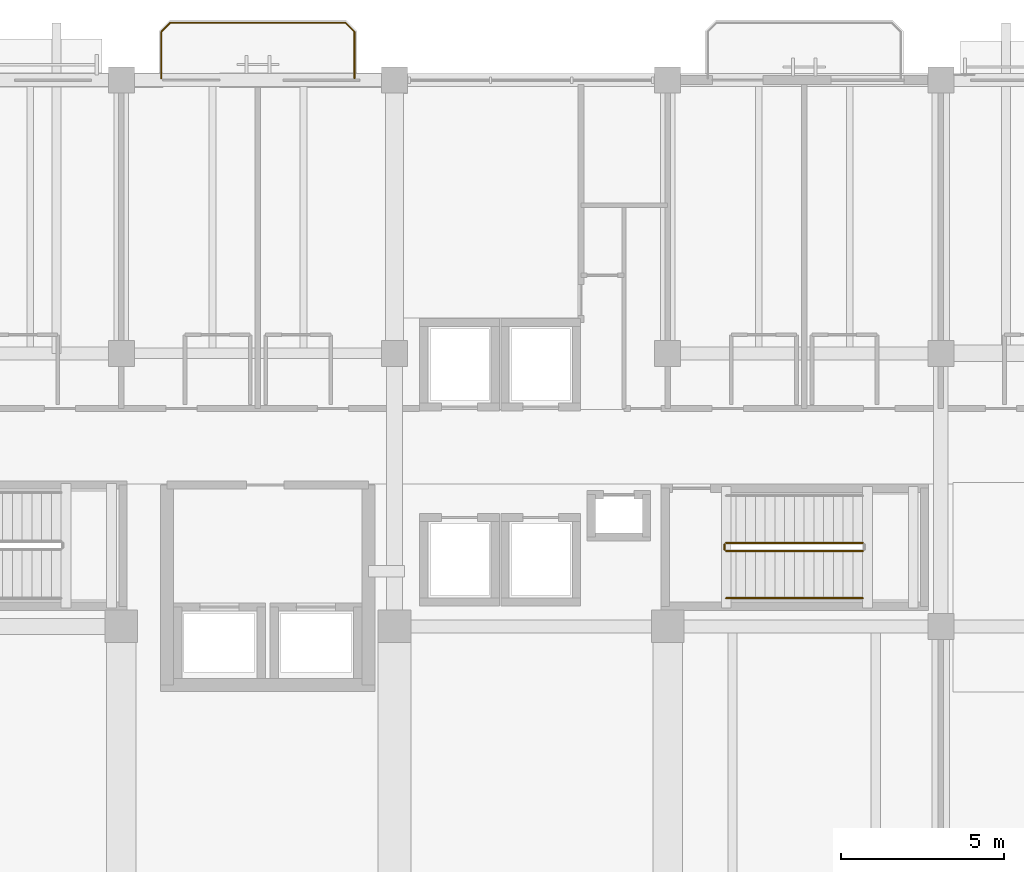
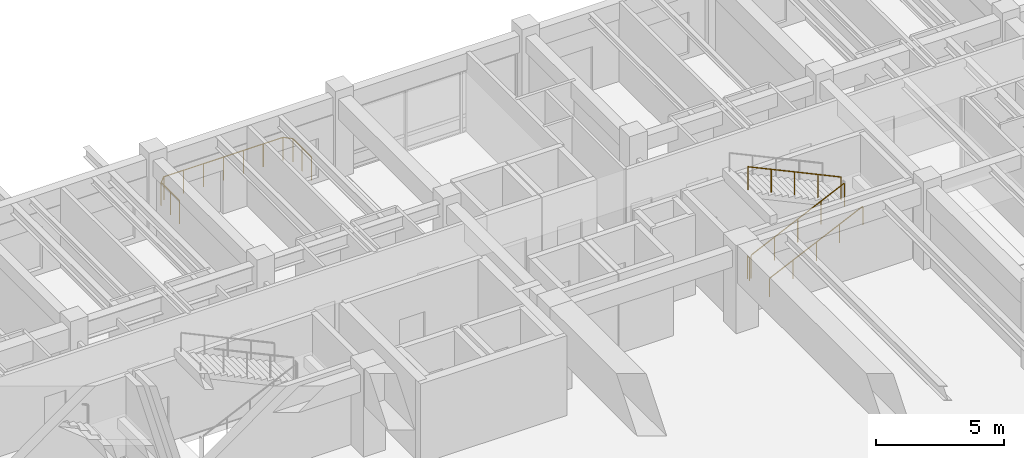
# One storey, part 116 of 132: 5 railings.
"""IFC4 building model written with IfcOpenShell, lengths in metres."""

import ifcopenshell
import ifcopenshell.guid

model = None  # the IFC model being written
_history = None  # IfcOwnerHistory: only IFC2X3 demands one
_inside = {}  # id of a spatial element -> (the spatial element, [elements in it])
_under = {}  # id of a project, library or spatial element -> (it, [spatial elements below it])
_declared = {}  # id of a project -> (the project, [libraries it declares])
_typed = {}  # id of a type object -> (the type object, [elements of that type])
_made_of = {}  # id of a material, layer set ... -> (it, [elements and type objects made of it])


def new_model(schema):
    """Start an empty IFC model of exactly this schema.

    Asked for "IFC4X3", IfcOpenShell would pick the latest addendum, in which some entities
    have other attributes; the version numbers below select the first issue.
    IFC2X3 requires an IfcOwnerHistory on every rooted entity: one is made here for all.
    """
    global model, _history
    if schema == "IFC4X3":
        model = ifcopenshell.file(schema_version=(4, 3, 0, 0))
    else:
        model = ifcopenshell.file(schema=schema)
    _inside.clear()
    _under.clear()
    _declared.clear()
    _typed.clear()
    _made_of.clear()
    _history = None
    if model.schema == "IFC2X3":
        org = make("IfcOrganization", Name="unknown")
        user = make(
            "IfcPersonAndOrganization",
            ThePerson=make("IfcPerson", FamilyName="unknown"),
            TheOrganization=org,
        )
        app = make(
            "IfcApplication",
            ApplicationDeveloper=org,
            Version="unknown",
            ApplicationFullName="unknown",
            ApplicationIdentifier="unknown",
        )
        _history = make(
            "IfcOwnerHistory",
            OwningUser=user,
            OwningApplication=app,
            ChangeAction="ADDED",
            CreationDate=0,
        )
    return model


def make(cls, **values):
    """One entity of the class cls with the attributes given. An attribute that is None is left unset."""
    return model.create_entity(
        cls, **{name: value for name, value in values.items() if value is not None}
    )


def rooted(cls, **values):
    """An entity with a GlobalId (a new one), such as an element, a storey or a relation."""
    return make(cls, GlobalId=ifcopenshell.guid.new(), OwnerHistory=_history, **values)


def si_unit(unit_type, name, prefix=None):
    """IfcSIUnit, for example si_unit("LENGTHUNIT", "METRE", prefix="MILLI")."""
    return make("IfcSIUnit", UnitType=unit_type, Prefix=prefix, Name=name)


def assignment(units):
    """IfcUnitAssignment: the units of a project."""
    return None if units is None else make("IfcUnitAssignment", Units=units)


def point(xyz):
    """IfcCartesianPoint."""
    return None if xyz is None else make("IfcCartesianPoint", Coordinates=xyz)


def direction(xyz):
    """IfcDirection."""
    return None if xyz is None else make("IfcDirection", DirectionRatios=xyz)


def frame(location, z_axis=None, x_axis=None):
    """IfcAxis2Placement3D, a coordinate frame: its origin and axes. An axis left out is left unset."""
    return make(
        "IfcAxis2Placement3D",
        Location=point(location),
        Axis=direction(z_axis),
        RefDirection=direction(x_axis),
    )


def frame_2d(location, x_axis=None):
    """IfcAxis2Placement2D, a coordinate frame in the plane: its origin and x axis."""
    return make(
        "IfcAxis2Placement2D", Location=point(location), RefDirection=direction(x_axis)
    )


def origin():
    """The frame at (0, 0, 0) with its axes left unset."""
    return frame((0.0, 0.0, 0.0))


def origin_2d():
    """The frame at (0, 0) in the plane with its x axis left unset."""
    return frame_2d((0.0, 0.0))


def place(relative_to, where):
    """IfcLocalPlacement: puts the frame where relative to a parent placement (None: the world)."""
    return make(
        "IfcLocalPlacement", PlacementRelTo=relative_to, RelativePlacement=where
    )


def context(
    kind, dimensions, precision=None, world=None, true_north=None, identifier=None
):
    """IfcGeometricRepresentationContext, for example the 3D "Model" context."""
    return make(
        "IfcGeometricRepresentationContext",
        ContextIdentifier=identifier,
        ContextType=kind,
        CoordinateSpaceDimension=dimensions,
        Precision=precision,
        WorldCoordinateSystem=world,
        TrueNorth=true_north,
    )


def subcontext(parent, identifier, kind, view, scale=None):
    """IfcGeometricRepresentationSubContext, for example "Body" below "Model"."""
    return make(
        "IfcGeometricRepresentationSubContext",
        ContextIdentifier=identifier,
        ContextType=kind,
        ParentContext=parent,
        TargetScale=scale,
        TargetView=view,
    )


def project(units=None, contexts=None):
    """IfcProject with its units and contexts."""
    return rooted(
        "IfcProject",
        Name="project",
        RepresentationContexts=contexts,
        UnitsInContext=assignment(units),
    )


def spatial(cls, under=None, at=None, **own):
    """A site, building, storey or space (cls), placed at a placement, below another one or the project."""
    s = rooted(cls, ObjectPlacement=at, **own)
    if under is not None:
        _under.setdefault(under.id(), (under, []))[1].append(s)
    return s


def profile(cls, at=None, kind="AREA", **sizes):
    """A parametric profile (cls). Its sizes go by their IFC names, for example OverallWidth=200.0."""
    return make(cls, ProfileType=kind, Position=at, **sizes)


def circle(**sizes):
    """IfcCircleProfileDef."""
    return profile("IfcCircleProfileDef", **sizes)


def extrude(swept, where, along, depth):
    """IfcExtrudedAreaSolid: the profile swept, set in the frame where, extruded along a direction by depth."""
    return make(
        "IfcExtrudedAreaSolid",
        SweptArea=swept,
        Position=where,
        ExtrudedDirection=direction(along),
        Depth=depth,
    )


def shape(context_of_items, identifier, shape_type, items):
    """IfcShapeRepresentation: the items that make up one representation, for example the "Body"."""
    return make(
        "IfcShapeRepresentation",
        ContextOfItems=context_of_items,
        RepresentationIdentifier=identifier,
        RepresentationType=shape_type,
        Items=items,
    )


def material(Name=None, Category=None):
    """IfcMaterial."""
    return make("IfcMaterial", Name=Name, Category=Category)


def made_of(thing, what):
    """Note that an element or type object is made of a material, layer set ...; save() writes the relation."""
    if what is not None:
        _made_of.setdefault(what.id(), (what, []))[1].append(thing)
    return thing


def type_object(cls, material=None, **own):
    """A type object (cls), such as IfcWallType, which elements share."""
    return made_of(rooted(cls, **own), material)


def element(
    cls,
    number,
    at=None,
    inside=None,
    cuts=None,
    type_object=None,
    material=None,
    context=None,
    identifier="Body",
    shape_type=None,
    held_by="IfcProductDefinitionShape",
    body=None,
    shapes=None,
    **own,
):
    """One element of the class cls, such as IfcWall. Its Tag is "e" and its number.

    at: its placement. inside: the storey or other place that contains it. cuts: it is an
    opening in that element (IfcRelVoidsElement). A single representation is given by context,
    identifier, shape_type and body (its items); several are given by shapes. held_by: the class
    of the entity that holds the representations. save() writes the other relations.
    """
    e = rooted(cls, Tag="e%d" % number, ObjectPlacement=at, **own)
    if body is not None:
        shapes = [shape(context, identifier, shape_type, body)]
    if shapes is not None:
        e.Representation = make(held_by, Representations=shapes)
    if inside is not None:
        _inside.setdefault(inside.id(), (inside, []))[1].append(e)
    if cuts is not None:
        rooted(
            "IfcRelVoidsElement", RelatingBuildingElement=cuts, RelatedOpeningElement=e
        )
    if type_object is not None:
        _typed.setdefault(type_object.id(), (type_object, []))[1].append(e)
    return made_of(e, material)


def aggregate(whole, parts):
    """IfcRelAggregates: a whole, such as a stair, and the parts it consists of."""
    return rooted("IfcRelAggregates", RelatingObject=whole, RelatedObjects=parts)


def save(model, path):
    """Write the relations noted so far, then the file.

    IfcRelAggregates (storeys below a building ...), IfcRelContainedInSpatialStructure (elements
    in a storey), IfcRelDefinesByType, IfcRelAssociatesMaterial and IfcRelDeclares: one each for
    every whole, place, type object, material and project.
    """
    for whole, parts in _under.values():
        aggregate(whole, parts)
    for where, things in _inside.values():
        rooted(
            "IfcRelContainedInSpatialStructure",
            RelatedElements=things,
            RelatingStructure=where,
        )
    for kind, things in _typed.values():
        rooted("IfcRelDefinesByType", RelatedObjects=things, RelatingType=kind)
    for what, things in _made_of.values():
        rooted("IfcRelAssociatesMaterial", RelatedObjects=things, RelatingMaterial=what)
    for by, libraries in _declared.values():
        rooted("IfcRelDeclares", RelatingContext=by, RelatedDefinitions=libraries)
    model.write(path)


model = new_model("IFC4")

# Units and contexts
model_context = context("Model", 3, precision=1e-05, world=origin(), true_north=direction((0.0, 1.0)))
body_context = subcontext(model_context, "Body", "Model", "MODEL_VIEW")
ifc_project = project(units=[si_unit("LENGTHUNIT", "METRE"), si_unit("AREAUNIT", "SQUARE_METRE"), si_unit("VOLUMEUNIT", "CUBIC_METRE"), si_unit("PLANEANGLEUNIT", "RADIAN"), si_unit("MASSUNIT", "GRAM", prefix="KILO")], contexts=[model_context])

# Site, building, storey
site_placement = place(None, origin())
site = spatial("IfcSite", under=ifc_project, at=site_placement, CompositionType="ELEMENT")
building_placement = place(site_placement, origin())
building = spatial("IfcBuilding", under=site, at=building_placement, Name="Cumbredor Promenade Congress Hotel", CompositionType="ELEMENT")
storey_placement = place(building_placement, frame((0.0, 0.0, 7.56005859375)))
storey = spatial("IfcBuildingStorey", under=building, at=storey_placement, Name="L02", CompositionType="ELEMENT", Elevation=7.56005859375)

# Railings
ifc_material = material(Name="Brushed stainless steel", Category="steel")
railing_type_1 = type_object("IfcRailingType", Name="Interior Void & Stair Guardrail GR-1100", PredefinedType="GUARDRAIL", material=ifc_material)
railing_1_placement = place(storey_placement, frame((43.800048828125, 103.1201171875, 0.139892578125)))
element("IfcRailing", 1, at=railing_1_placement, inside=storey, type_object=railing_type_1, Name="L02 ST-03 stair guard 1", PredefinedType="GUARDRAIL", context=body_context, shape_type="SweptSolid", body=[
    extrude(circle(Radius=0.02392578125, at=origin_2d()), frame((0.0, 0.0, 1.09619140625), z_axis=(0.906184485727, 0.0, 0.422882581609), x_axis=(0.0, 1.0, 0.0)), (0.0, 0.0, 1.0), 4.634765625),
    extrude(circle(Radius=0.02099609375, at=origin_2d()), origin(), (0.0, 0.0, 1.0), 1.072021484375),
    extrude(circle(Radius=0.02099609375, at=origin_2d()), frame((1.050048828125, 0.0, 0.489990234375)), (0.0, 0.0, 1.0), 1.072021484375),
    extrude(circle(Radius=0.02099609375, at=origin_2d()), frame((2.10009765625, 0.0, 0.97998046875)), (0.0, 0.0, 1.0), 1.072021484375),
    extrude(circle(Radius=0.02099609375, at=origin_2d()), frame((3.14990234375, 0.0, 1.469970703125)), (0.0, 0.0, 1.0), 1.072021484375),
    extrude(circle(Radius=0.02099609375, at=origin_2d()), frame((4.199951171875, 0.0, 1.9599609375)), (0.0, 0.0, 1.0), 1.072021484375),
])
railing_2_placement = place(storey_placement, frame((48.0, 103.3701171875, 2.239990234375)))
element("IfcRailing", 2, at=railing_2_placement, inside=storey, type_object=railing_type_1, Name="L02 ST-03 stair guard 3", PredefinedType="GUARDRAIL", context=body_context, shape_type="SweptSolid", body=[
    extrude(circle(Radius=0.02392578125, at=origin_2d()), frame((0.0, 0.0, 1.09619140625), z_axis=(-0.906184485727, 0.0, 0.422882581609), x_axis=(0.0, -1.0, 0.0)), (0.0, 0.0, 1.0), 4.634765625),
    extrude(circle(Radius=0.02099609375, at=origin_2d()), origin(), (0.0, 0.0, 1.0), 1.072021484375),
    extrude(circle(Radius=0.02099609375, at=origin_2d()), frame((-1.050048828125, 0.0, 0.489990234375)), (0.0, 0.0, 1.0), 1.072021484375),
    extrude(circle(Radius=0.02099609375, at=origin_2d()), frame((-2.10009765625, 0.0, 0.97998046875)), (0.0, 0.0, 1.0), 1.072021484375),
    extrude(circle(Radius=0.02099609375, at=origin_2d()), frame((-3.14990234375, 0.0, 1.469970703125)), (0.0, 0.0, 1.0), 1.072021484375),
    extrude(circle(Radius=0.02099609375, at=origin_2d()), frame((-4.199951171875, 0.0, 1.9599609375)), (0.0, 0.0, 1.0), 1.072021484375),
])
railing_3_placement = place(storey_placement, frame((43.75, 103.169921875, 0.0)))
element("IfcRailing", 3, at=railing_3_placement, inside=storey, type_object=railing_type_1, Name="L02 ST-03 stair guard 4", PredefinedType="GUARDRAIL", context=body_context, shape_type="SweptSolid", body=[
    extrude(circle(Radius=0.02392578125, at=origin_2d()), frame((0.0, 0.0, 1.09619140625), z_axis=(0.0, 1.0, 0.0), x_axis=(-1.0, 0.0, 0.0)), (0.0, 0.0, 1.0), 0.150146484375),
    extrude(circle(Radius=0.02099609375, at=origin_2d()), origin(), (0.0, 0.0, 1.0), 1.072021484375),
    extrude(circle(Radius=0.02099609375, at=origin_2d()), frame((0.0, 0.150146484375, 0.0)), (0.0, 0.0, 1.0), 1.072021484375),
])
railing_type_2 = type_object("IfcRailingType", Name="Stair Pitch Handrail HR-900", PredefinedType="HANDRAIL", material=ifc_material)
railing_4_placement = place(storey_placement, frame((43.800048828125, 101.669921875, 0.139892578125)))
element("IfcRailing", 4, at=railing_4_placement, inside=storey, type_object=railing_type_2, Name="L02 ST-03 stair handrail 1", PredefinedType="HANDRAIL", context=body_context, shape_type="SweptSolid", body=[
    extrude(circle(Radius=0.02392578125, at=origin_2d()), frame((0.0, 0.0, 0.8759765625), z_axis=(0.906184485727, 0.0, 0.422882581609), x_axis=(0.0, 1.0, 0.0)), (0.0, 0.0, 1.0), 4.634765625),
    extrude(circle(Radius=0.02099609375, at=origin_2d()), origin(), (0.0, 0.0, 1.0), 0.851806640625),
    extrude(circle(Radius=0.02099609375, at=origin_2d()), frame((1.050048828125, 0.0, 0.489990234375)), (0.0, 0.0, 1.0), 0.851806640625),
    extrude(circle(Radius=0.02099609375, at=origin_2d()), frame((2.10009765625, 0.0, 0.97998046875)), (0.0, 0.0, 1.0), 0.851806640625),
    extrude(circle(Radius=0.02099609375, at=origin_2d()), frame((3.14990234375, 0.0, 1.469970703125)), (0.0, 0.0, 1.0), 0.851806640625),
    extrude(circle(Radius=0.02099609375, at=origin_2d()), frame((4.199951171875, 0.0, 1.9599609375)), (0.0, 0.0, 1.0), 0.851806640625),
])
railing_type_3 = type_object("IfcRailingType", Name="Terrace Perimeter Balustrade BAL-1120", PredefinedType="BALUSTRADE", material=ifc_material)
railing_5_placement = place(storey_placement, frame((26.429931640625, 117.64990234375, 0.0)))
element("IfcRailing", 5, at=railing_5_placement, inside=storey, type_object=railing_type_3, Name="L02 Veranda Balcony Balustrade 005", PredefinedType="BALUSTRADE", context=body_context, shape_type="SweptSolid", body=[
    extrude(circle(Radius=0.02392578125, at=origin_2d()), frame((0.0, 0.0, 1.09619140625), z_axis=(0.0, 1.0, 0.0), x_axis=(-1.0, 0.0, 0.0)), (0.0, 0.0, 1.0), 1.440185546875),
    extrude(circle(Radius=0.02392578125, at=origin_2d()), frame((0.0, 1.440185546875, 1.09619140625), z_axis=(0.707106781187, 0.707106781187, 0.0), x_axis=(-0.707106781187, 0.707106781187, 0.0)), (0.0, 0.0, 1.0), 0.39599609375),
    extrude(circle(Radius=0.02392578125, at=origin_2d()), frame((0.280029296875, 1.72021484375, 1.09619140625), z_axis=(1.0, 0.0, 0.0), x_axis=(0.0, 1.0, 0.0)), (0.0, 0.0, 1.0), 5.380126953125),
    extrude(circle(Radius=0.02392578125, at=origin_2d()), frame((5.66015625, 1.72021484375, 1.09619140625), z_axis=(0.707106781187, -0.707106781187, 0.0), x_axis=(0.707106781187, 0.707106781187, 0.0)), (0.0, 0.0, 1.0), 0.39599609375),
    extrude(circle(Radius=0.02392578125, at=origin_2d()), frame((5.940185546875, 1.440185546875, 1.09619140625), z_axis=(0.0, -1.0, 0.0), x_axis=(1.0, 0.0, 0.0)), (0.0, 0.0, 1.0), 1.440185546875),
    extrude(circle(Radius=0.02099609375, at=origin_2d()), origin(), (0.0, 0.0, 1.0), 1.072021484375),
    extrude(circle(Radius=0.02099609375, at=origin_2d()), frame((0.0, 0.72021484375, 0.0)), (0.0, 0.0, 1.0), 1.072021484375),
    extrude(circle(Radius=0.02099609375, at=origin_2d()), frame((0.0, 1.440185546875, 0.0)), (0.0, 0.0, 1.0), 1.072021484375),
    extrude(circle(Radius=0.02099609375, at=origin_2d()), frame((0.280029296875, 1.72021484375, 0.0)), (0.0, 0.0, 1.0), 1.072021484375),
    extrude(circle(Radius=0.02099609375, at=origin_2d()), frame((1.1767578125, 1.72021484375, 0.0)), (0.0, 0.0, 1.0), 1.072021484375),
    extrude(circle(Radius=0.02099609375, at=origin_2d()), frame((2.073486328125, 1.72021484375, 0.0)), (0.0, 0.0, 1.0), 1.072021484375),
    extrude(circle(Radius=0.02099609375, at=origin_2d()), frame((2.97021484375, 1.72021484375, 0.0)), (0.0, 0.0, 1.0), 1.072021484375),
    extrude(circle(Radius=0.02099609375, at=origin_2d()), frame((3.86669921875, 1.72021484375, 0.0)), (0.0, 0.0, 1.0), 1.072021484375),
    extrude(circle(Radius=0.02099609375, at=origin_2d()), frame((4.763427734375, 1.72021484375, 0.0)), (0.0, 0.0, 1.0), 1.072021484375),
    extrude(circle(Radius=0.02099609375, at=origin_2d()), frame((5.66015625, 1.72021484375, 0.0)), (0.0, 0.0, 1.0), 1.072021484375),
    extrude(circle(Radius=0.02099609375, at=origin_2d()), frame((5.940185546875, 1.440185546875, 0.0)), (0.0, 0.0, 1.0), 1.072021484375),
    extrude(circle(Radius=0.02099609375, at=origin_2d()), frame((5.940185546875, 0.72021484375, 0.0)), (0.0, 0.0, 1.0), 1.072021484375),
    extrude(circle(Radius=0.02099609375, at=origin_2d()), frame((5.940185546875, 0.0, 0.0)), (0.0, 0.0, 1.0), 1.072021484375),
])

save(model, "model.ifc")
